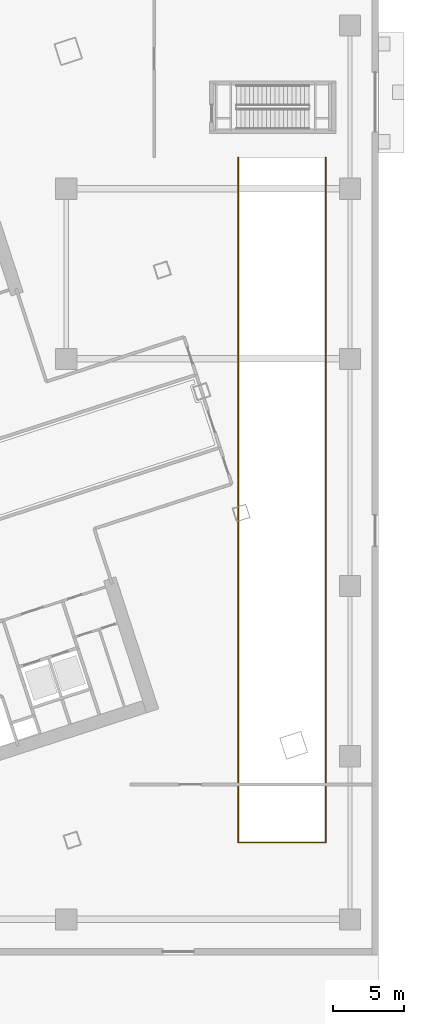
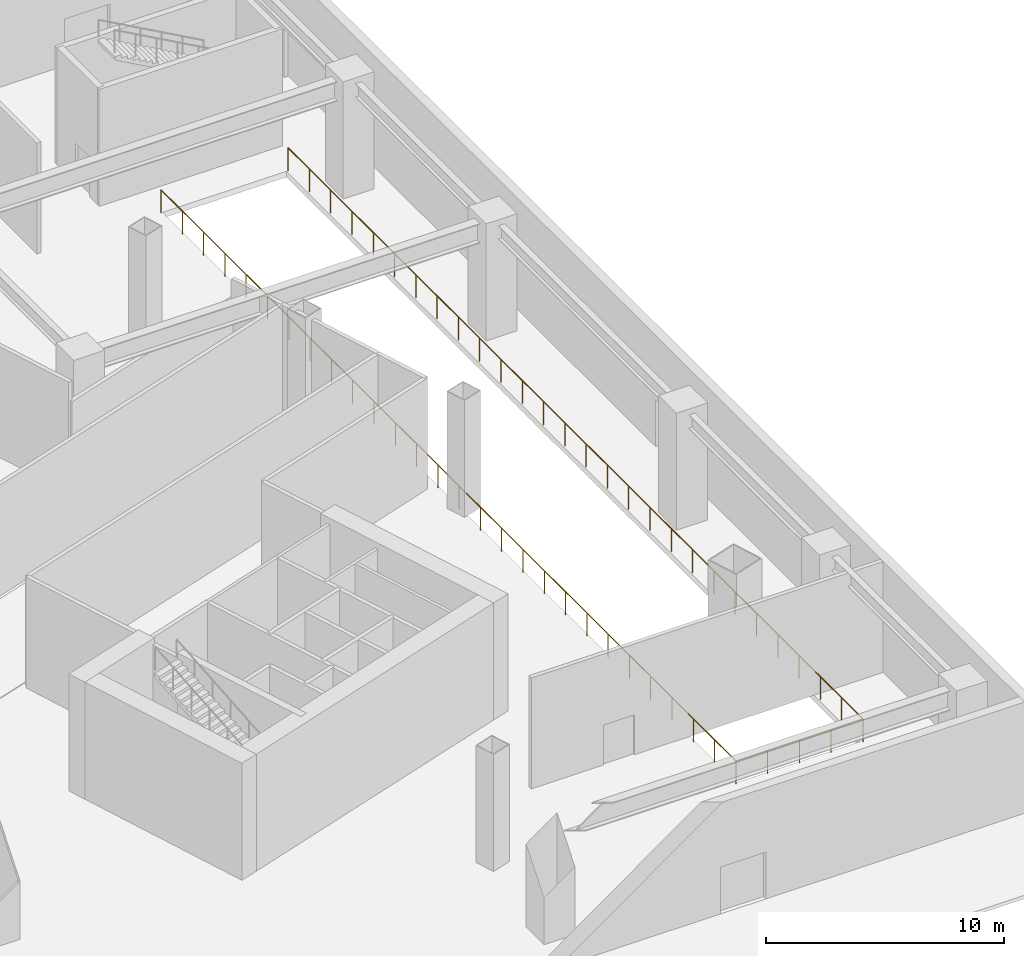
# One storey, part 28 of 31: 1 railing.
"""IFC4 building model written with IfcOpenShell, lengths in metres."""

from ifc_helpers import new_model, si_unit, direction, frame, origin, origin_2d, place, context, subcontext, project, spatial, circle, extrude, material, type_object, element, save


model = new_model("IFC4")

# Units and contexts
model_context = context("Model", 3, precision=1e-05, world=origin(), true_north=direction((0.0, 1.0)))
body_context = subcontext(model_context, "Body", "Model", "MODEL_VIEW")
ifc_project = project(units=[si_unit("LENGTHUNIT", "METRE"), si_unit("AREAUNIT", "SQUARE_METRE"), si_unit("VOLUMEUNIT", "CUBIC_METRE"), si_unit("PLANEANGLEUNIT", "RADIAN"), si_unit("MASSUNIT", "GRAM", prefix="KILO")], contexts=[model_context])

# Site, building, storey
site_placement = place(None, origin())
site = spatial("IfcSite", under=ifc_project, at=site_placement, CompositionType="ELEMENT")
building_placement = place(site_placement, origin())
building = spatial("IfcBuilding", under=site, at=building_placement, Name="Qiaolan Cultural Towers", CompositionType="ELEMENT")
storey_placement = place(building_placement, origin())
storey = spatial("IfcBuildingStorey", under=building, at=storey_placement, Name="L00", CompositionType="ELEMENT", Elevation=0.0)

# Railing
ifc_material = material(Name="Laminated SentryGlas & Stainless Steel S31608 Balustrade", Category="steel")
railing_type = type_object("IfcRailingType", Name="GRD-TERR-1200", PredefinedType="BALUSTRADE", material=ifc_material)
railing_placement = place(storey_placement, frame((110.1201171875, 56.199951171875, 0.0)))
element("IfcRailing", 1, at=railing_placement, inside=storey, type_object=railing_type, Name="L00 Ramp Opening Continuous Guardrail", PredefinedType="BALUSTRADE", context=body_context, shape_type="SweptSolid", body=[
    extrude(circle(Radius=0.02392578125, at=origin_2d()), frame((0.0, 0.0, 1.17578125), z_axis=(0.0, -1.0, 0.0), x_axis=(1.0, 0.0, 0.0)), (0.0, 0.0, 1.0), 48.280029296875),
    extrude(circle(Radius=0.02392578125, at=origin_2d()), frame((0.0, -48.280029296875, 1.17578125), z_axis=(1.0, 0.0, 0.0), x_axis=(0.0, 1.0, 0.0)), (0.0, 0.0, 1.0), 6.159912109375),
    extrude(circle(Radius=0.02392578125, at=origin_2d()), frame((6.159912109375, -48.280029296875, 1.17578125), z_axis=(0.0, 1.0, 0.0), x_axis=(-1.0, 0.0, 0.0)), (0.0, 0.0, 1.0), 48.280029296875),
    extrude(circle(Radius=0.02099609375, at=origin_2d()), origin(), (0.0, 0.0, 1.0), 1.15185546875),
    extrude(circle(Radius=0.02099609375, at=origin_2d()), frame((0.0, -1.7880859375, 0.0)), (0.0, 0.0, 1.0), 1.15185546875),
    extrude(circle(Radius=0.02099609375, at=origin_2d()), frame((0.0, -3.576416015625, 0.0)), (0.0, 0.0, 1.0), 1.15185546875),
    extrude(circle(Radius=0.02099609375, at=origin_2d()), frame((0.0, -5.364501953125, 0.0)), (0.0, 0.0, 1.0), 1.15185546875),
    extrude(circle(Radius=0.02099609375, at=origin_2d()), frame((0.0, -7.152587890625, 0.0)), (0.0, 0.0, 1.0), 1.15185546875),
    extrude(circle(Radius=0.02099609375, at=origin_2d()), frame((0.0, -8.940673828125, 0.0)), (0.0, 0.0, 1.0), 1.15185546875),
    extrude(circle(Radius=0.02099609375, at=origin_2d()), frame((0.0, -10.72900390625, 0.0)), (0.0, 0.0, 1.0), 1.15185546875),
    extrude(circle(Radius=0.02099609375, at=origin_2d()), frame((0.0, -12.51708984375, 0.0)), (0.0, 0.0, 1.0), 1.15185546875),
    extrude(circle(Radius=0.02099609375, at=origin_2d()), frame((0.0, -14.30517578125, 0.0)), (0.0, 0.0, 1.0), 1.15185546875),
    extrude(circle(Radius=0.02099609375, at=origin_2d()), frame((0.0, -16.09326171875, 0.0)), (0.0, 0.0, 1.0), 1.15185546875),
    extrude(circle(Radius=0.02099609375, at=origin_2d()), frame((0.0, -17.881591796875, 0.0)), (0.0, 0.0, 1.0), 1.15185546875),
    extrude(circle(Radius=0.02099609375, at=origin_2d()), frame((0.0, -19.669677734375, 0.0)), (0.0, 0.0, 1.0), 1.15185546875),
    extrude(circle(Radius=0.02099609375, at=origin_2d()), frame((0.0, -21.457763671875, 0.0)), (0.0, 0.0, 1.0), 1.15185546875),
    extrude(circle(Radius=0.02099609375, at=origin_2d()), frame((0.0, -23.245849609375, 0.0)), (0.0, 0.0, 1.0), 1.15185546875),
    extrude(circle(Radius=0.02099609375, at=origin_2d()), frame((0.0, -25.0341796875, 0.0)), (0.0, 0.0, 1.0), 1.15185546875),
    extrude(circle(Radius=0.02099609375, at=origin_2d()), frame((0.0, -26.822265625, 0.0)), (0.0, 0.0, 1.0), 1.15185546875),
    extrude(circle(Radius=0.02099609375, at=origin_2d()), frame((0.0, -28.6103515625, 0.0)), (0.0, 0.0, 1.0), 1.15185546875),
    extrude(circle(Radius=0.02099609375, at=origin_2d()), frame((0.0, -30.3984375, 0.0)), (0.0, 0.0, 1.0), 1.15185546875),
    extrude(circle(Radius=0.02099609375, at=origin_2d()), frame((0.0, -32.186767578125, 0.0)), (0.0, 0.0, 1.0), 1.15185546875),
    extrude(circle(Radius=0.02099609375, at=origin_2d()), frame((0.0, -33.974853515625, 0.0)), (0.0, 0.0, 1.0), 1.15185546875),
    extrude(circle(Radius=0.02099609375, at=origin_2d()), frame((0.0, -35.762939453125, 0.0)), (0.0, 0.0, 1.0), 1.15185546875),
    extrude(circle(Radius=0.02099609375, at=origin_2d()), frame((0.0, -37.551025390625, 0.0)), (0.0, 0.0, 1.0), 1.15185546875),
    extrude(circle(Radius=0.02099609375, at=origin_2d()), frame((0.0, -39.33935546875, 0.0)), (0.0, 0.0, 1.0), 1.15185546875),
    extrude(circle(Radius=0.02099609375, at=origin_2d()), frame((0.0, -41.12744140625, 0.0)), (0.0, 0.0, 1.0), 1.15185546875),
    extrude(circle(Radius=0.02099609375, at=origin_2d()), frame((0.0, -42.91552734375, 0.0)), (0.0, 0.0, 1.0), 1.15185546875),
    extrude(circle(Radius=0.02099609375, at=origin_2d()), frame((0.0, -44.70361328125, 0.0)), (0.0, 0.0, 1.0), 1.15185546875),
    extrude(circle(Radius=0.02099609375, at=origin_2d()), frame((0.0, -46.491943359375, 0.0)), (0.0, 0.0, 1.0), 1.15185546875),
    extrude(circle(Radius=0.02099609375, at=origin_2d()), frame((0.0, -48.280029296875, 0.0)), (0.0, 0.0, 1.0), 1.15185546875),
    extrude(circle(Radius=0.02099609375, at=origin_2d()), frame((1.5400390625, -48.280029296875, 0.0)), (0.0, 0.0, 1.0), 1.15185546875),
    extrude(circle(Radius=0.02099609375, at=origin_2d()), frame((3.080078125, -48.280029296875, 0.0)), (0.0, 0.0, 1.0), 1.15185546875),
    extrude(circle(Radius=0.02099609375, at=origin_2d()), frame((4.619873046875, -48.280029296875, 0.0)), (0.0, 0.0, 1.0), 1.15185546875),
    extrude(circle(Radius=0.02099609375, at=origin_2d()), frame((6.159912109375, -48.280029296875, 0.0)), (0.0, 0.0, 1.0), 1.15185546875),
    extrude(circle(Radius=0.02099609375, at=origin_2d()), frame((6.159912109375, -46.491943359375, 0.0)), (0.0, 0.0, 1.0), 1.15185546875),
    extrude(circle(Radius=0.02099609375, at=origin_2d()), frame((6.159912109375, -44.70361328125, 0.0)), (0.0, 0.0, 1.0), 1.15185546875),
    extrude(circle(Radius=0.02099609375, at=origin_2d()), frame((6.159912109375, -42.91552734375, 0.0)), (0.0, 0.0, 1.0), 1.15185546875),
    extrude(circle(Radius=0.02099609375, at=origin_2d()), frame((6.159912109375, -41.12744140625, 0.0)), (0.0, 0.0, 1.0), 1.15185546875),
    extrude(circle(Radius=0.02099609375, at=origin_2d()), frame((6.159912109375, -39.33935546875, 0.0)), (0.0, 0.0, 1.0), 1.15185546875),
    extrude(circle(Radius=0.02099609375, at=origin_2d()), frame((6.159912109375, -37.551025390625, 0.0)), (0.0, 0.0, 1.0), 1.15185546875),
    extrude(circle(Radius=0.02099609375, at=origin_2d()), frame((6.159912109375, -35.762939453125, 0.0)), (0.0, 0.0, 1.0), 1.15185546875),
    extrude(circle(Radius=0.02099609375, at=origin_2d()), frame((6.159912109375, -33.974853515625, 0.0)), (0.0, 0.0, 1.0), 1.15185546875),
    extrude(circle(Radius=0.02099609375, at=origin_2d()), frame((6.159912109375, -32.186767578125, 0.0)), (0.0, 0.0, 1.0), 1.15185546875),
    extrude(circle(Radius=0.02099609375, at=origin_2d()), frame((6.159912109375, -30.3984375, 0.0)), (0.0, 0.0, 1.0), 1.15185546875),
    extrude(circle(Radius=0.02099609375, at=origin_2d()), frame((6.159912109375, -28.6103515625, 0.0)), (0.0, 0.0, 1.0), 1.15185546875),
    extrude(circle(Radius=0.02099609375, at=origin_2d()), frame((6.159912109375, -26.822265625, 0.0)), (0.0, 0.0, 1.0), 1.15185546875),
    extrude(circle(Radius=0.02099609375, at=origin_2d()), frame((6.159912109375, -25.0341796875, 0.0)), (0.0, 0.0, 1.0), 1.15185546875),
    extrude(circle(Radius=0.02099609375, at=origin_2d()), frame((6.159912109375, -23.245849609375, 0.0)), (0.0, 0.0, 1.0), 1.15185546875),
    extrude(circle(Radius=0.02099609375, at=origin_2d()), frame((6.159912109375, -21.457763671875, 0.0)), (0.0, 0.0, 1.0), 1.15185546875),
    extrude(circle(Radius=0.02099609375, at=origin_2d()), frame((6.159912109375, -19.669677734375, 0.0)), (0.0, 0.0, 1.0), 1.15185546875),
    extrude(circle(Radius=0.02099609375, at=origin_2d()), frame((6.159912109375, -17.881591796875, 0.0)), (0.0, 0.0, 1.0), 1.15185546875),
    extrude(circle(Radius=0.02099609375, at=origin_2d()), frame((6.159912109375, -16.09326171875, 0.0)), (0.0, 0.0, 1.0), 1.15185546875),
    extrude(circle(Radius=0.02099609375, at=origin_2d()), frame((6.159912109375, -14.30517578125, 0.0)), (0.0, 0.0, 1.0), 1.15185546875),
    extrude(circle(Radius=0.02099609375, at=origin_2d()), frame((6.159912109375, -12.51708984375, 0.0)), (0.0, 0.0, 1.0), 1.15185546875),
    extrude(circle(Radius=0.02099609375, at=origin_2d()), frame((6.159912109375, -10.72900390625, 0.0)), (0.0, 0.0, 1.0), 1.15185546875),
    extrude(circle(Radius=0.02099609375, at=origin_2d()), frame((6.159912109375, -8.940673828125, 0.0)), (0.0, 0.0, 1.0), 1.15185546875),
    extrude(circle(Radius=0.02099609375, at=origin_2d()), frame((6.159912109375, -7.152587890625, 0.0)), (0.0, 0.0, 1.0), 1.15185546875),
    extrude(circle(Radius=0.02099609375, at=origin_2d()), frame((6.159912109375, -5.364501953125, 0.0)), (0.0, 0.0, 1.0), 1.15185546875),
    extrude(circle(Radius=0.02099609375, at=origin_2d()), frame((6.159912109375, -3.576416015625, 0.0)), (0.0, 0.0, 1.0), 1.15185546875),
    extrude(circle(Radius=0.02099609375, at=origin_2d()), frame((6.159912109375, -1.7880859375, 0.0)), (0.0, 0.0, 1.0), 1.15185546875),
    extrude(circle(Radius=0.02099609375, at=origin_2d()), frame((6.159912109375, 0.0, 0.0)), (0.0, 0.0, 1.0), 1.15185546875),
])

save(model, "model.ifc")
